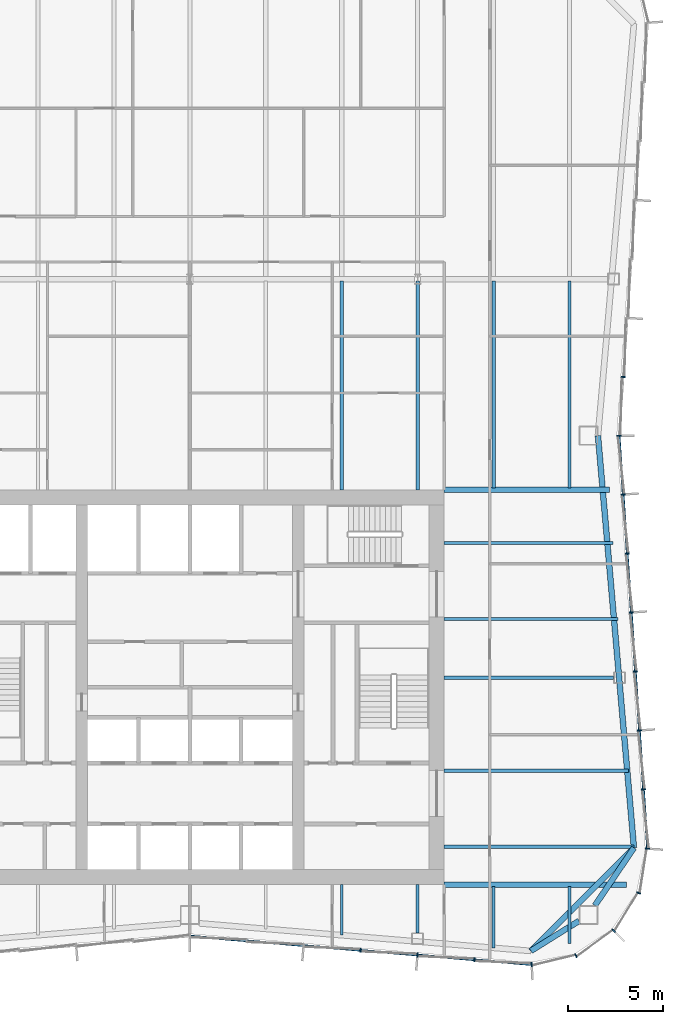
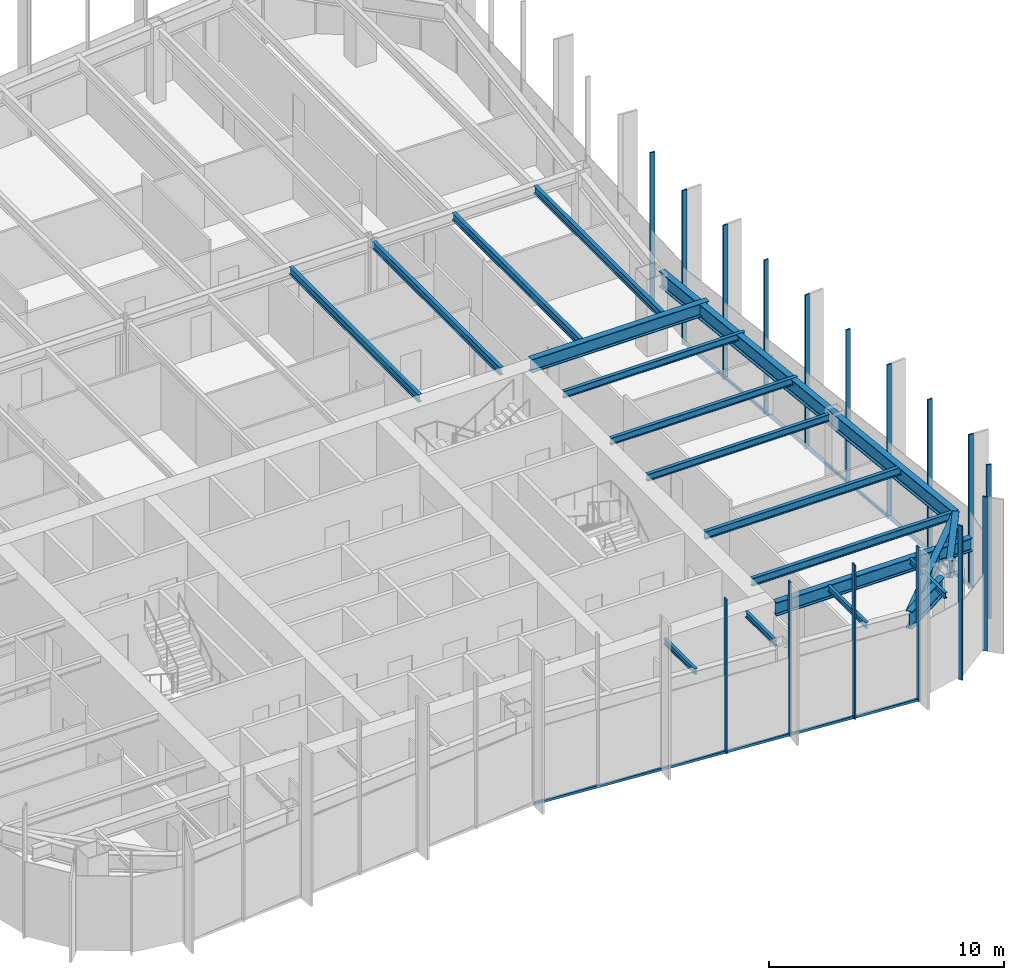
# One storey, part 5 of 15: 19 beams, 18 members, 3 elements without a shape of their own.
"""IFC4 building model written with IfcOpenShell, lengths in metres."""

from ifc_helpers import new_model, si_unit, direction, frame, origin, origin_2d, place, context, subcontext, project, spatial, rectangle, i_section, extrude, material, material_profile, profile_set, type_object, element, aggregate, save


model = new_model("IFC4")

# Units and contexts
model_context = context("Model", 3, precision=1e-05, world=origin(), true_north=direction((0.0, 1.0)))
body_context = subcontext(model_context, "Body", "Model", "MODEL_VIEW")
ifc_project = project(units=[si_unit("LENGTHUNIT", "METRE"), si_unit("AREAUNIT", "SQUARE_METRE"), si_unit("VOLUMEUNIT", "CUBIC_METRE"), si_unit("PLANEANGLEUNIT", "RADIAN"), si_unit("MASSUNIT", "GRAM", prefix="KILO")], contexts=[model_context])

# Site, building, storey
site_placement = place(None, origin())
site = spatial("IfcSite", under=ifc_project, at=site_placement, CompositionType="ELEMENT")
building_placement = place(site_placement, origin())
building = spatial("IfcBuilding", under=site, at=building_placement, Name="Verdant Reach Tower", CompositionType="ELEMENT")
storey_placement = place(building_placement, frame((0.0, 0.0, 274.0)))
storey = spatial("IfcBuildingStorey", under=building, at=storey_placement, Name="L63", CompositionType="ELEMENT", Elevation=274.0)

# Curtain wall, members
ifc_material_1 = material(Name="Anodised aluminium", Category="aluminium")
curtain_wall_type = type_object("IfcCurtainWallType", Name="EN-CW SYSTEM Z4", PredefinedType="NOTDEFINED", material=ifc_material_1)
curtain_wall_1_placement = place(storey_placement, origin())
curtain_wall_1 = element("IfcCurtainWall", 1, at=curtain_wall_1_placement, inside=storey, type_object=curtain_wall_type, Name="Curtain wall south-east corner, L63", PredefinedType="NOTDEFINED")
ifc_material_profile_1 = material_profile(ifc_material_1, rectangle(XDim=0.22412109375, YDim=0.068115234375, at=origin_2d()), Name="Mullion 68x224")
ifc_profile_set_1 = profile_set([ifc_material_profile_1], Name="Anodised aluminium")
member_type_1 = type_object("IfcMemberType", Name="EN-MULLION Z4", PredefinedType="MULLION", material=ifc_profile_set_1)
member_1_placement = place(storey_placement, frame((18.00634765625, 13.38818359375, -0.35009765625), z_axis=(0.0, 0.0, 1.0), x_axis=(0.056569187765, -0.998398681387, 0.0)))
member_1 = element("IfcMember", 2, at=member_1_placement, type_object=member_type_1, Name="Mullion south-east corner 1, L63", PredefinedType="MULLION", context=body_context, shape_type="SweptSolid", body=[
    extrude(rectangle(XDim=0.22412109375, YDim=0.068115234375, at=origin_2d()), origin(), (0.0, 0.0, 1.0), 8.0),
])
member_2_placement = place(storey_placement, frame((20.3388671875, 13.853271484375, -0.35009765625), z_axis=(0.0, 0.0, 1.0), x_axis=(0.382693853776, -0.923875215753, 0.0)))
member_2 = element("IfcMember", 3, at=member_2_placement, type_object=member_type_1, Name="Mullion south-east corner 2, L63", PredefinedType="MULLION", context=body_context, shape_type="SweptSolid", body=[
    extrude(rectangle(XDim=0.22412109375, YDim=0.068115234375, at=origin_2d()), origin(), (0.0, 0.0, 1.0), 8.0),
])
member_3_placement = place(storey_placement, frame((22.32177734375, 15.17822265625, -0.35009765625), z_axis=(0.0, 0.0, 1.0), x_axis=(0.707106781187, -0.707106781187, 0.0)))
member_3 = element("IfcMember", 4, at=member_3_placement, type_object=member_type_1, Name="Mullion south-east corner 3, L63", PredefinedType="MULLION", context=body_context, shape_type="SweptSolid", body=[
    extrude(rectangle(XDim=0.22412109375, YDim=0.068115234375, at=origin_2d()), origin(), (0.0, 0.0, 1.0), 8.0),
])
member_4_placement = place(storey_placement, frame((23.646728515625, 17.1611328125, -0.35009765625), z_axis=(0.0, 0.0, 1.0), x_axis=(0.923875215753, -0.382693853776, 0.0)))
member_4 = element("IfcMember", 5, at=member_4_placement, type_object=member_type_1, Name="Mullion south-east corner 4, L63", PredefinedType="MULLION", context=body_context, shape_type="SweptSolid", body=[
    extrude(rectangle(XDim=0.22412109375, YDim=0.068115234375, at=origin_2d()), origin(), (0.0, 0.0, 1.0), 8.0),
])
aggregate(curtain_wall_1, [member_1, member_2, member_3, member_4])

curtain_wall_2_placement = place(storey_placement, origin())
curtain_wall_2 = element("IfcCurtainWall", 6, at=curtain_wall_2_placement, inside=storey, type_object=curtain_wall_type, Name="Curtain wall east, L63", PredefinedType="NOTDEFINED")
member_5_placement = place(storey_placement, frame((24.11181640625, 19.492919921875, -0.35009765625), z_axis=(0.0, 0.0, 1.0), x_axis=(0.997969180898, -0.063698618332, 0.0)))
member_5 = element("IfcMember", 7, at=member_5_placement, type_object=member_type_1, Name="Mullion east face part 1 1, L63", PredefinedType="MULLION", context=body_context, shape_type="SweptSolid", body=[
    extrude(rectangle(XDim=0.22412109375, YDim=0.068115234375, at=origin_2d()), origin(), (0.0, 0.0, 1.0), 8.0),
])
member_6_placement = place(storey_placement, frame((23.8974609375, 22.61474609375, -0.35009765625), z_axis=(0.0, 0.0, 1.0), x_axis=(0.997630328423, 0.068802091615, 0.0)))
member_6 = element("IfcMember", 8, at=member_6_placement, type_object=member_type_1, Name="Mullion east face part 1 2, L63", PredefinedType="MULLION", context=body_context, shape_type="SweptSolid", body=[
    extrude(rectangle(XDim=0.22412109375, YDim=0.068115234375, at=origin_2d()), origin(), (0.0, 0.0, 1.0), 8.0),
])
member_7_placement = place(storey_placement, frame((23.68310546875, 25.721923828125, -0.35009765625), z_axis=(0.0, 0.0, 1.0), x_axis=(0.997630328423, 0.068802091615, 0.0)))
member_7 = element("IfcMember", 9, at=member_7_placement, type_object=member_type_1, Name="Mullion east face part 1 3, L63", PredefinedType="MULLION", context=body_context, shape_type="SweptSolid", body=[
    extrude(rectangle(XDim=0.22412109375, YDim=0.068115234375, at=origin_2d()), origin(), (0.0, 0.0, 1.0), 8.0),
])
member_8_placement = place(storey_placement, frame((23.468994140625, 28.8291015625, -0.35009765625), z_axis=(0.0, 0.0, 1.0), x_axis=(0.997630328423, 0.068802091615, 0.0)))
member_8 = element("IfcMember", 10, at=member_8_placement, type_object=member_type_1, Name="Mullion east face part 1 4, L63", PredefinedType="MULLION", context=body_context, shape_type="SweptSolid", body=[
    extrude(rectangle(XDim=0.22412109375, YDim=0.068115234375, at=origin_2d()), origin(), (0.0, 0.0, 1.0), 8.0),
])
member_9_placement = place(storey_placement, frame((23.254638671875, 31.936279296875, -0.35009765625), z_axis=(0.0, 0.0, 1.0), x_axis=(0.997630328423, 0.068802091615, 0.0)))
member_9 = element("IfcMember", 11, at=member_9_placement, type_object=member_type_1, Name="Mullion east face part 1 5, L63", PredefinedType="MULLION", context=body_context, shape_type="SweptSolid", body=[
    extrude(rectangle(XDim=0.22412109375, YDim=0.068115234375, at=origin_2d()), origin(), (0.0, 0.0, 1.0), 8.0),
])
member_10_placement = place(storey_placement, frame((23.040283203125, 35.04345703125, -0.35009765625), z_axis=(0.0, 0.0, 1.0), x_axis=(0.997630328423, 0.068802091615, 0.0)))
member_10 = element("IfcMember", 12, at=member_10_placement, type_object=member_type_1, Name="Mullion east face part 1 6, L63", PredefinedType="MULLION", context=body_context, shape_type="SweptSolid", body=[
    extrude(rectangle(XDim=0.22412109375, YDim=0.068115234375, at=origin_2d()), origin(), (0.0, 0.0, 1.0), 8.0),
])
member_11_placement = place(storey_placement, frame((22.825927734375, 38.150634765625, -0.35009765625), z_axis=(0.0, 0.0, 1.0), x_axis=(0.997630328423, 0.068802091615, 0.0)))
member_11 = element("IfcMember", 13, at=member_11_placement, type_object=member_type_1, Name="Mullion east face part 1 7, L63", PredefinedType="MULLION", context=body_context, shape_type="SweptSolid", body=[
    extrude(rectangle(XDim=0.22412109375, YDim=0.068115234375, at=origin_2d()), origin(), (0.0, 0.0, 1.0), 8.0),
])
member_12_placement = place(storey_placement, frame((22.612060546875, 41.25, -0.35009765625), z_axis=(0.0, 0.0, 1.0), x_axis=(1.0, 0.0, 0.0)))
member_12 = element("IfcMember", 14, at=member_12_placement, type_object=member_type_1, Name="Mullion east face part 2 1, L63", PredefinedType="MULLION", context=body_context, shape_type="SweptSolid", body=[
    extrude(rectangle(XDim=0.22412109375, YDim=0.068115234375, at=origin_2d()), origin(), (0.0, 0.0, 1.0), 8.0),
])
member_13_placement = place(storey_placement, frame((22.825927734375, 44.349365234375, -0.35009765625), z_axis=(0.0, 0.0, 1.0), x_axis=(0.997630328423, -0.068802091615, 0.0)))
member_13 = element("IfcMember", 15, at=member_13_placement, type_object=member_type_1, Name="Mullion east face part 2 2, L63", PredefinedType="MULLION", context=body_context, shape_type="SweptSolid", body=[
    extrude(rectangle(XDim=0.22412109375, YDim=0.068115234375, at=origin_2d()), origin(), (0.0, 0.0, 1.0), 8.0),
])

curtain_wall_3_placement = place(storey_placement, origin())
curtain_wall_3 = element("IfcCurtainWall", 16, at=curtain_wall_3_placement, inside=storey, type_object=curtain_wall_type, Name="Curtain wall south, L63", PredefinedType="NOTDEFINED")
member_14_placement = place(storey_placement, frame((8.99072265625, 14.138427734375, -0.35009765625), z_axis=(0.0, 0.0, 1.0), x_axis=(-0.083045479859, -0.996545758244, 0.0)))
member_14 = element("IfcMember", 17, at=member_14_placement, type_object=member_type_1, Name="Mullion south face part 2 4, L63", PredefinedType="MULLION", context=body_context, shape_type="SweptSolid", body=[
    extrude(rectangle(XDim=0.22412109375, YDim=0.068115234375, at=origin_2d()), origin(), (0.0, 0.0, 1.0), 8.0),
])
member_15_placement = place(storey_placement, frame((11.99072265625, 13.888427734375, -0.35009765625), z_axis=(0.0, 0.0, 1.0), x_axis=(-0.083045479859, -0.996545758244, 0.0)))
member_15 = element("IfcMember", 18, at=member_15_placement, type_object=member_type_1, Name="Mullion south face part 2 5, L63", PredefinedType="MULLION", context=body_context, shape_type="SweptSolid", body=[
    extrude(rectangle(XDim=0.22412109375, YDim=0.068115234375, at=origin_2d()), origin(), (0.0, 0.0, 1.0), 8.0),
])
member_16_placement = place(storey_placement, frame((14.99072265625, 13.638427734375, -0.35009765625), z_axis=(0.0, 0.0, 1.0), x_axis=(-0.083045479859, -0.996545758244, 0.0)))
member_16 = element("IfcMember", 19, at=member_16_placement, type_object=member_type_1, Name="Mullion south face part 2 6, L63", PredefinedType="MULLION", context=body_context, shape_type="SweptSolid", body=[
    extrude(rectangle(XDim=0.22412109375, YDim=0.068115234375, at=origin_2d()), origin(), (0.0, 0.0, 1.0), 8.0),
])

# Member
ifc_material_profile_2 = material_profile(ifc_material_1, rectangle(XDim=0.10009765625, YDim=0.1279296875, at=origin_2d()), Name="Transom 128x100")
ifc_profile_set_2 = profile_set([ifc_material_profile_2], Name="Anodised aluminium")
member_type_2 = type_object("IfcMemberType", Name="EN-TRANSOM Z4", PredefinedType="USERDEFINED", material=ifc_profile_set_2)
member_17_placement = place(storey_placement, frame((24.109375, 19.52685546875, -0.285888671875), z_axis=(-0.068770489035, 0.997632507408, 0.0), x_axis=(-0.997632507408, -0.068770489035, 0.0)))
member_17 = element("IfcMember", 20, at=member_17_placement, type_object=member_type_2, Name="Transom east face part 1 1.1, L63", ObjectType="TRANSOM", PredefinedType="USERDEFINED", context=body_context, shape_type="SweptSolid", body=[
    extrude(rectangle(XDim=0.10009765625, YDim=0.1279296875, at=origin_2d()), origin(), (0.0, 0.0, 1.0), 21.74072265625),
])

aggregate(curtain_wall_2, [member_5, member_6, member_7, member_8, member_9, member_10, member_11, member_17, member_12, member_13])

member_18_placement = place(storey_placement, frame((0.033935546875, 14.88525390625, -0.285888671875), z_axis=(0.996549124771, -0.083005071637, 0.0), x_axis=(0.083005071637, 0.996549124771, 0.0)))
member_18 = element("IfcMember", 21, at=member_18_placement, type_object=member_type_2, Name="Transom south face part 2 1.1, L63", ObjectType="TRANSOM", PredefinedType="USERDEFINED", context=body_context, shape_type="SweptSolid", body=[
    extrude(rectangle(XDim=0.10009765625, YDim=0.1279296875, at=origin_2d()), origin(), (0.0, 0.0, 1.0), 18.00048828125),
])

aggregate(curtain_wall_3, [member_14, member_15, member_16, member_18])

# Beams
ifc_material_2 = material(Name="Steel S355", Category="steel")
ifc_material_profile_3 = material_profile(ifc_material_2, i_section(OverallWidth=0.300048828125, OverallDepth=0.699951171875, WebThickness=0.01708984375, FlangeThickness=0.031982421875, FilletRadius=0.027099609375, at=origin_2d()), Name="HEB 700")
ifc_profile_set_3 = profile_set([ifc_material_profile_3], Name="Steel S355")
beam_type_1 = type_object("IfcBeamType", Name="ST-BEAM-HEB700", PredefinedType="BEAM", material=ifc_profile_set_3)
beam_1_placement = place(storey_placement, frame((13.39990234375, 38.39990234375, 3.52001953125), z_axis=(1.0, 0.0, 0.0), x_axis=(0.0, 1.0, 0.0)))
element("IfcBeam", 22, at=beam_1_placement, inside=storey, type_object=beam_type_1, Name="Trimmer beam, L63", PredefinedType="BEAM", context=body_context, shape_type="SweptSolid", body=[
    extrude(i_section(OverallWidth=0.300048828125, OverallDepth=0.699951171875, WebThickness=0.01708984375, FlangeThickness=0.031982421875, FilletRadius=0.027099609375, at=origin_2d()), origin(), (0.0, 0.0, 1.0), 8.6953125),
])
beam_2_placement = place(storey_placement, frame((13.39990234375, 17.60009765625, 3.52001953125), z_axis=(1.0, 0.0, 0.0), x_axis=(0.0, 1.0, 0.0)))
element("IfcBeam", 23, at=beam_2_placement, inside=storey, type_object=beam_type_1, Name="Trimmer beam, L63", PredefinedType="BEAM", context=body_context, shape_type="SweptSolid", body=[
    extrude(i_section(OverallWidth=0.300048828125, OverallDepth=0.699951171875, WebThickness=0.01708984375, FlangeThickness=0.031982421875, FilletRadius=0.027099609375, at=origin_2d()), origin(), (0.0, 0.0, 1.0), 9.6103515625),
])
ifc_material_profile_4 = material_profile(ifc_material_2, i_section(OverallWidth=0.302001953125, OverallDepth=0.909912109375, WebThickness=0.02099609375, FlangeThickness=0.0400390625, FilletRadius=0.030029296875, at=origin_2d()), Name="HEM 900")
ifc_profile_set_4 = profile_set([ifc_material_profile_4], Name="Steel S355")
beam_type_2 = type_object("IfcBeamType", Name="ST-BEAM-HEM900", PredefinedType="BEAM", material=ifc_profile_set_4)
beam_3_placement = place(storey_placement, frame((20.5, 15.687744140625, 3.4150390625), z_axis=(-0.848163521635, -0.529734500073, 0.0), x_axis=(0.529734500073, -0.848163521635, 0.0)))
element("IfcBeam", 24, at=beam_3_placement, inside=storey, type_object=beam_type_2, Name="Column stub beam, L63", PredefinedType="BEAM", context=body_context, shape_type="SweptSolid", body=[
    extrude(i_section(OverallWidth=0.302001953125, OverallDepth=0.909912109375, WebThickness=0.02099609375, FlangeThickness=0.0400390625, FilletRadius=0.030029296875, at=origin_2d()), origin(), (0.0, 0.0, 1.0), 2.98779296875),
])
beam_4_placement = place(storey_placement, frame((21.33837890625, 16.5, 3.4150390625), z_axis=(0.560703975309, 0.828016335631, 0.0), x_axis=(-0.828016335631, 0.560703975309, 0.0)))
element("IfcBeam", 25, at=beam_4_placement, inside=storey, type_object=beam_type_2, Name="Column stub beam, L63", PredefinedType="BEAM", context=body_context, shape_type="SweptSolid", body=[
    extrude(i_section(OverallWidth=0.302001953125, OverallDepth=0.909912109375, WebThickness=0.02099609375, FlangeThickness=0.0400390625, FilletRadius=0.030029296875, at=origin_2d()), origin(), (0.0, 0.0, 1.0), 3.669677734375),
])
ifc_material_profile_5 = material_profile(ifc_material_2, i_section(OverallWidth=0.14990234375, OverallDepth=0.300048828125, WebThickness=0.007080078125, FlangeThickness=0.0107421875, FilletRadius=0.014892578125, at=origin_2d()), Name="IPE 300")
ifc_profile_set_5 = profile_set([ifc_material_profile_5], Name="Steel S355")
beam_type_3 = type_object("IfcBeamType", Name="ST-JOIST-IPE300", PredefinedType="JOIST", material=ifc_profile_set_5)
beam_5_placement = place(storey_placement, frame((8.0, 17.60009765625, 3.719970703125), z_axis=(0.0, -1.0, 0.0), x_axis=(1.0, 0.0, 0.0)))
element("IfcBeam", 26, at=beam_5_placement, inside=storey, type_object=beam_type_3, Name="Floor joist, L63", PredefinedType="JOIST", context=body_context, shape_type="SweptSolid", body=[
    extrude(i_section(OverallWidth=0.14990234375, OverallDepth=0.300048828125, WebThickness=0.007080078125, FlangeThickness=0.0107421875, FilletRadius=0.014892578125, at=origin_2d()), origin(), (0.0, 0.0, 1.0), 2.664794921875),
])
beam_6_placement = place(storey_placement, frame((12.0, 17.60009765625, 3.719970703125), z_axis=(0.0, -1.0, 0.0), x_axis=(1.0, 0.0, 0.0)))
element("IfcBeam", 27, at=beam_6_placement, inside=storey, type_object=beam_type_3, Name="Floor joist, L63", PredefinedType="JOIST", context=body_context, shape_type="SweptSolid", body=[
    extrude(i_section(OverallWidth=0.14990234375, OverallDepth=0.300048828125, WebThickness=0.007080078125, FlangeThickness=0.0107421875, FilletRadius=0.014892578125, at=origin_2d()), origin(), (0.0, 0.0, 1.0), 2.550048828125),
])
beam_7_placement = place(storey_placement, frame((16.0, 17.5, 3.719970703125), z_axis=(0.0, -1.0, 0.0), x_axis=(1.0, 0.0, 0.0)))
element("IfcBeam", 28, at=beam_7_placement, inside=storey, type_object=beam_type_3, Name="Floor joist, L63", PredefinedType="JOIST", context=body_context, shape_type="SweptSolid", body=[
    extrude(i_section(OverallWidth=0.14990234375, OverallDepth=0.300048828125, WebThickness=0.007080078125, FlangeThickness=0.0107421875, FilletRadius=0.014892578125, at=origin_2d()), origin(), (0.0, 0.0, 1.0), 3.231201171875),
])
beam_8_placement = place(storey_placement, frame((20.0, 17.5, 3.719970703125), z_axis=(0.0, -1.0, 0.0), x_axis=(1.0, 0.0, 0.0)))
element("IfcBeam", 29, at=beam_8_placement, inside=storey, type_object=beam_type_3, Name="Floor joist, L63", PredefinedType="JOIST", context=body_context, shape_type="SweptSolid", body=[
    extrude(i_section(OverallWidth=0.14990234375, OverallDepth=0.300048828125, WebThickness=0.007080078125, FlangeThickness=0.0107421875, FilletRadius=0.014892578125, at=origin_2d()), origin(), (0.0, 0.0, 1.0), 2.990478515625),
])
ifc_material_profile_6 = material_profile(ifc_material_2, i_section(OverallWidth=0.169921875, OverallDepth=0.360107421875, WebThickness=0.008056640625, FlangeThickness=0.0126953125, FilletRadius=0.01806640625, at=origin_2d()), Name="IPE 360")
ifc_profile_set_6 = profile_set([ifc_material_profile_6], Name="Steel S355")
beam_type_4 = type_object("IfcBeamType", Name="ST-JOIST-IPE360", PredefinedType="JOIST", material=ifc_profile_set_6)
beam_9_placement = place(storey_placement, frame((13.39990234375, 28.5, 3.68994140625), z_axis=(1.0, 0.0, 0.0), x_axis=(0.0, 1.0, 0.0)))
element("IfcBeam", 30, at=beam_9_placement, inside=storey, type_object=beam_type_4, Name="Floor joist, L63", PredefinedType="JOIST", context=body_context, shape_type="SweptSolid", body=[
    extrude(i_section(OverallWidth=0.169921875, OverallDepth=0.360107421875, WebThickness=0.008056640625, FlangeThickness=0.0126953125, FilletRadius=0.01806640625, at=origin_2d()), origin(), (0.0, 0.0, 1.0), 8.929443359375),
])
beam_10_placement = place(storey_placement, frame((13.39990234375, 31.60009765625, 3.68994140625), z_axis=(1.0, 0.0, 0.0), x_axis=(0.0, 1.0, 0.0)))
element("IfcBeam", 31, at=beam_10_placement, inside=storey, type_object=beam_type_4, Name="Floor joist, L63", PredefinedType="JOIST", context=body_context, shape_type="SweptSolid", body=[
    extrude(i_section(OverallWidth=0.169921875, OverallDepth=0.360107421875, WebThickness=0.008056640625, FlangeThickness=0.0126953125, FilletRadius=0.01806640625, at=origin_2d()), origin(), (0.0, 0.0, 1.0), 9.164306640625),
])
beam_11_placement = place(storey_placement, frame((13.39990234375, 35.60009765625, 3.68994140625), z_axis=(1.0, 0.0, 0.0), x_axis=(0.0, 1.0, 0.0)))
element("IfcBeam", 32, at=beam_11_placement, inside=storey, type_object=beam_type_4, Name="Floor joist, L63", PredefinedType="JOIST", context=body_context, shape_type="SweptSolid", body=[
    extrude(i_section(OverallWidth=0.169921875, OverallDepth=0.360107421875, WebThickness=0.008056640625, FlangeThickness=0.0126953125, FilletRadius=0.01806640625, at=origin_2d()), origin(), (0.0, 0.0, 1.0), 8.88818359375),
])
ifc_material_profile_7 = material_profile(ifc_material_2, i_section(OverallWidth=0.179931640625, OverallDepth=0.39990234375, WebThickness=0.008544921875, FlangeThickness=0.013427734375, FilletRadius=0.02099609375, at=origin_2d()), Name="IPE 400")
ifc_profile_set_7 = profile_set([ifc_material_profile_7], Name="Steel S355")
beam_type_5 = type_object("IfcBeamType", Name="ST-JOIST-IPE400", PredefinedType="JOIST", material=ifc_profile_set_7)
for number, where, z_axis, x_axis, name in (
    (33, (8.0, 38.39990234375, 3.669921875), (0.0, 1.0, 0.0), (-1.0, 0.0, 0.0), "Floor joist, L63"),
    (34, (12.0, 38.39990234375, 3.669921875), (0.0, 1.0, 0.0), (-1.0, 0.0, 0.0), "Floor joist, L63"),
):
    element("IfcBeam", number, at=place(storey_placement, frame(where, z_axis=z_axis, x_axis=x_axis)), inside=storey, type_object=beam_type_5, Name=name, PredefinedType="JOIST", context=body_context, shape_type="SweptSolid", body=[
        extrude(i_section(OverallWidth=0.179931640625, OverallDepth=0.39990234375, WebThickness=0.008544921875, FlangeThickness=0.013427734375, FilletRadius=0.02099609375, at=origin_2d()), origin(), (0.0, 0.0, 1.0), 11.0),
    ])
for number, where, z_axis, x_axis, name in (
    (35, (16.0, 38.5, 3.669921875), (0.0, 1.0, 0.0), (-1.0, 0.0, 0.0), "Floor joist, L63"),
    (36, (20.0, 38.5, 3.669921875), (0.0, 1.0, 0.0), (-1.0, 0.0, 0.0), "Floor joist, L63"),
):
    element("IfcBeam", number, at=place(storey_placement, frame(where, z_axis=z_axis, x_axis=x_axis)), inside=storey, type_object=beam_type_5, Name=name, PredefinedType="JOIST", context=body_context, shape_type="SweptSolid", body=[
        extrude(i_section(OverallWidth=0.179931640625, OverallDepth=0.39990234375, WebThickness=0.008544921875, FlangeThickness=0.013427734375, FilletRadius=0.02099609375, at=origin_2d()), origin(), (0.0, 0.0, 1.0), 10.89990234375),
    ])
beam_12_placement = place(storey_placement, frame((13.39990234375, 19.60009765625, 3.669921875), z_axis=(1.0, 0.0, 0.0), x_axis=(0.0, 1.0, 0.0)))
element("IfcBeam", 37, at=beam_12_placement, inside=storey, type_object=beam_type_5, Name="Floor joist, L63", PredefinedType="JOIST", context=body_context, shape_type="SweptSolid", body=[
    extrude(i_section(OverallWidth=0.179931640625, OverallDepth=0.39990234375, WebThickness=0.008544921875, FlangeThickness=0.013427734375, FilletRadius=0.02099609375, at=origin_2d()), origin(), (0.0, 0.0, 1.0), 9.99169921875),
])
beam_13_placement = place(storey_placement, frame((13.39990234375, 23.60009765625, 3.669921875), z_axis=(1.0, 0.0, 0.0), x_axis=(0.0, 1.0, 0.0)))
element("IfcBeam", 38, at=beam_13_placement, inside=storey, type_object=beam_type_5, Name="Floor joist, L63", PredefinedType="JOIST", context=body_context, shape_type="SweptSolid", body=[
    extrude(i_section(OverallWidth=0.179931640625, OverallDepth=0.39990234375, WebThickness=0.008544921875, FlangeThickness=0.013427734375, FilletRadius=0.02099609375, at=origin_2d()), origin(), (0.0, 0.0, 1.0), 9.7158203125),
])
ifc_material_profile_8 = material_profile(ifc_material_2, i_section(OverallWidth=0.300048828125, OverallDepth=0.800048828125, WebThickness=0.017578125, FlangeThickness=0.032958984375, FilletRadius=0.030029296875, at=origin_2d()), Name="HEB 800")
ifc_profile_set_8 = profile_set([ifc_material_profile_8], Name="Steel S355")
beam_type_6 = type_object("IfcBeamType", Name="ST-SPANDREL-HEB800", PredefinedType="SPANDREL", material=ifc_profile_set_8)
beam_14_placement = place(storey_placement, frame((21.5, 41.25, 3.469970703125), z_axis=(0.086996024331, -0.996208658741, 0.0), x_axis=(0.996208658741, 0.086996024331, 0.0)))
element("IfcBeam", 39, at=beam_14_placement, inside=storey, type_object=beam_type_6, Name="Edge beam, L63", PredefinedType="SPANDREL", context=body_context, shape_type="SweptSolid", body=[
    extrude(i_section(OverallWidth=0.300048828125, OverallDepth=0.800048828125, WebThickness=0.017578125, FlangeThickness=0.032958984375, FilletRadius=0.030029296875, at=origin_2d()), origin(), (0.0, 0.0, 1.0), 21.7939453125),
])
ifc_material_profile_9 = material_profile(ifc_material_2, i_section(OverallWidth=0.302001953125, OverallDepth=0.909912109375, WebThickness=0.02099609375, FlangeThickness=0.0400390625, FilletRadius=0.030029296875, at=origin_2d()), Name="HEM 900")
ifc_profile_set_9 = profile_set([ifc_material_profile_9], Name="Steel S355")
beam_type_7 = type_object("IfcBeamType", Name="ST-SPANDREL-HEM900", PredefinedType="SPANDREL", material=ifc_profile_set_9)
beam_15_placement = place(storey_placement, frame((23.39599609375, 19.53857421875, 3.4150390625), z_axis=(-0.706884275642, -0.707329216738, 0.0), x_axis=(0.707329216738, -0.706884275642, 0.0)))
element("IfcBeam", 40, at=beam_15_placement, inside=storey, type_object=beam_type_7, Name="Edge beam, L63", PredefinedType="SPANDREL", context=body_context, shape_type="SweptSolid", body=[
    extrude(i_section(OverallWidth=0.302001953125, OverallDepth=0.909912109375, WebThickness=0.02099609375, FlangeThickness=0.0400390625, FilletRadius=0.030029296875, at=origin_2d()), origin(), (0.0, 0.0, 1.0), 7.681884765625),
])

save(model, "model.ifc")
